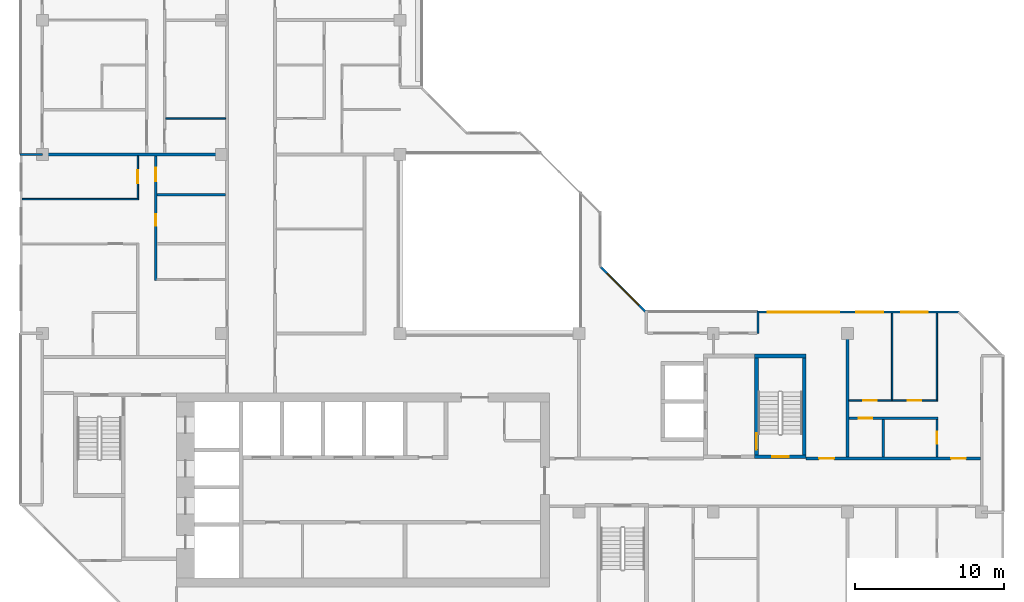
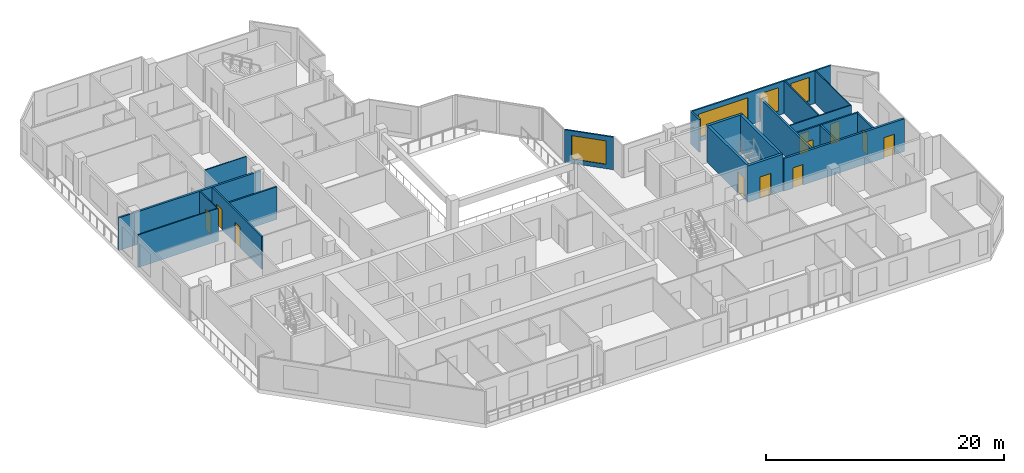
# One storey, part 8 of 13: 22 walls, 11 doors, 4 windows, 15 openings.
"""IFC4 building model written with IfcOpenShell, lengths in metres."""

from ifc_helpers import new_model, si_unit, direction, frame, frame_2d, origin, place, context, subcontext, project, spatial, rectangle, extrude, material, layer, layer_set, type_object, element, fill, save


model = new_model("IFC4")

# Units and contexts
model_context = context("Model", 3, precision=1e-05, world=origin(), true_north=direction((0.0, 1.0)))
body_context = subcontext(model_context, "Body", "Model", "MODEL_VIEW")
ifc_project = project(units=[si_unit("LENGTHUNIT", "METRE"), si_unit("AREAUNIT", "SQUARE_METRE"), si_unit("VOLUMEUNIT", "CUBIC_METRE"), si_unit("PLANEANGLEUNIT", "RADIAN"), si_unit("MASSUNIT", "GRAM", prefix="KILO")], contexts=[model_context])

# Site, building, storey
site_placement = place(None, origin())
site = spatial("IfcSite", under=ifc_project, at=site_placement, CompositionType="ELEMENT")
building_placement = place(site_placement, origin())
building = spatial("IfcBuilding", under=site, at=building_placement, Name="Chenar Terraces", CompositionType="ELEMENT")
storey_placement = place(building_placement, frame((0.0, 0.0, 314.64990234375)))
storey = spatial("IfcBuildingStorey", under=building, at=storey_placement, Name="L74", CompositionType="ELEMENT", Elevation=314.64990234375)

# Wall, opening, door
ifc_material_1 = material(Name="Concrete C50/60", Category="concrete")
ifc_layer_1 = layer(ifc_material_1, 0.25)
ifc_layer_set_1 = layer_set([ifc_layer_1], Name="Concrete C50/60")
wall_type_1 = type_object("IfcWallType", Name="Core wall 250 Concrete C50/60", PredefinedType="SHEAR", material=ifc_layer_set_1)
wall_1_placement = place(storey_placement, frame((47.77490234375, 15.72509765625, 0.0), z_axis=(0.0, 0.0, 1.0), x_axis=(1.0, 0.0, 0.0)))
wall_1 = element("IfcWall", 1, at=wall_1_placement, inside=storey, type_object=wall_type_1, Name="Core wall ST3_S L74", PredefinedType="SHEAR", context=body_context, shape_type="SweptSolid", body=[
    extrude(rectangle(XDim=3.4501953125, YDim=0.25, at=frame_2d((1.72509765625, 0.0))), origin(), (0.0, 0.0, 1.0), 3.75),
])
opening_1_placement = place(wall_1_placement, frame((1.175048828125, 0.0, 0.0)))
opening_1 = element("IfcOpeningElement", 2, at=opening_1_placement, cuts=wall_1, Name="Opening DL74-C8", PredefinedType="OPENING", context=body_context, shape_type="SweptSolid", body=[
    extrude(rectangle(XDim=1.10009765625, YDim=2.199951171875, at=frame_2d((0.550048828125, 1.10009765625))), frame((0.0, 0.135009765625, 0.0), z_axis=(0.0, -1.0, 0.0), x_axis=(1.0, 0.0, 0.0)), (0.0, 0.0, 1.0), 0.27001953125),
])
ifc_material_2 = material(Name="Steel-framed fire-resisting door leaf", Category="steel")
door_type_1 = type_object("IfcDoorType", Name="Stair fire door FD60 1100 x 2200", OperationType="SINGLE_SWING_LEFT", PredefinedType="DOOR", material=ifc_material_2)
door_1_placement = place(opening_1_placement, frame((1.10009765625, 0.0, 0.0), z_axis=(0.0, 0.0, 1.0), x_axis=(-1.0, 0.0, 0.0)))
door_1 = element("IfcDoor", 3, at=door_1_placement, inside=storey, type_object=door_type_1, Name="Stair door DL74-C8", OperationType="SINGLE_SWING_LEFT", OverallHeight=2.199951171875, OverallWidth=1.10009765625, PredefinedType="DOOR", context=body_context, shape_type="SweptSolid", body=[
    extrude(rectangle(XDim=1.10009765625, YDim=2.199951171875, at=frame_2d((0.550048828125, 1.10009765625))), frame((0.0, 0.02490234375, 0.0), z_axis=(0.0, -1.0, 0.0), x_axis=(1.0, 0.0, 0.0)), (0.0, 0.0, 1.0), 0.050048828125),
])
fill(opening_1, door_1)

# Wall
wall_2_placement = place(storey_placement, frame((47.77490234375, 22.47509765625, 0.0), z_axis=(0.0, 0.0, 1.0), x_axis=(1.0, 0.0, 0.0)))
element("IfcWall", 4, at=wall_2_placement, inside=storey, type_object=wall_type_1, Name="Core wall ST3_N L74", PredefinedType="SHEAR", context=body_context, shape_type="SweptSolid", body=[
    extrude(rectangle(XDim=3.4501953125, YDim=0.25, at=frame_2d((1.72509765625, 0.0))), origin(), (0.0, 0.0, 1.0), 3.75),
])

# Wall, opening, door
wall_3_placement = place(storey_placement, frame((47.89990234375, 15.85009765625, 0.0), z_axis=(0.0, 0.0, 1.0), x_axis=(0.0, 1.0, 0.0)))
wall_3 = element("IfcWall", 5, at=wall_3_placement, inside=storey, type_object=wall_type_1, Name="Core wall ST3_W L74", PredefinedType="SHEAR", context=body_context, shape_type="SweptSolid", body=[
    extrude(rectangle(XDim=6.5, YDim=0.25, at=frame_2d((3.25, 0.0))), origin(), (0.0, 0.0, 1.0), 3.75),
])
opening_2_placement = place(wall_3_placement, frame((0.35009765625, 0.0, 0.0)))
opening_2 = element("IfcOpeningElement", 6, at=opening_2_placement, cuts=wall_3, Name="Opening DL74-C11", PredefinedType="OPENING", context=body_context, shape_type="SweptSolid", body=[
    extrude(rectangle(XDim=1.10009765625, YDim=2.199951171875, at=frame_2d((0.550048828125, 1.10009765625))), frame((0.0, 0.135009765625, 0.0), z_axis=(0.0, -1.0, 0.0), x_axis=(1.0, 0.0, 0.0)), (0.0, 0.0, 1.0), 0.27001953125),
])
door_2_placement = place(opening_2_placement, frame((1.10009765625, 0.0, 0.0), z_axis=(0.0, 0.0, 1.0), x_axis=(-1.0, 0.0, 0.0)))
door_2 = element("IfcDoor", 7, at=door_2_placement, inside=storey, type_object=door_type_1, Name="Stair door DL74-C11", OperationType="SINGLE_SWING_RIGHT", OverallHeight=2.199951171875, OverallWidth=1.10009765625, PredefinedType="DOOR", context=body_context, shape_type="SweptSolid", body=[
    extrude(rectangle(XDim=1.10009765625, YDim=2.199951171875, at=frame_2d((0.550048828125, 1.10009765625))), frame((0.0, 0.02490234375, 0.0), z_axis=(0.0, -1.0, 0.0), x_axis=(1.0, 0.0, 0.0)), (0.0, 0.0, 1.0), 0.050048828125),
])
fill(opening_2, door_2)

# Wall
wall_4_placement = place(storey_placement, frame((51.10009765625, 15.85009765625, 0.0), z_axis=(0.0, 0.0, 1.0), x_axis=(0.0, 1.0, 0.0)))
element("IfcWall", 8, at=wall_4_placement, inside=storey, type_object=wall_type_1, Name="Core wall ST3_E L74", PredefinedType="SHEAR", context=body_context, shape_type="SweptSolid", body=[
    extrude(rectangle(XDim=6.5, YDim=0.25, at=frame_2d((3.25, 0.0))), origin(), (0.0, 0.0, 1.0), 3.75),
])

# Wall, openings, doors
ifc_material_3 = material(Name="Gypsum board on steel studs with fire boards", Category="steel")
ifc_layer_2 = layer(ifc_material_3, 0.199951171875)
ifc_layer_set_2 = layer_set([ifc_layer_2], Name="Gypsum board on steel studs with fire boards")
wall_type_2 = type_object("IfcWallType", Name="Corridor wall 200", PredefinedType="PARTITIONING", material=ifc_layer_set_2)
wall_5_placement = place(storey_placement, frame((51.22509765625, 15.60009765625, 0.0), z_axis=(0.0, 0.0, 1.0), x_axis=(1.0, 0.0, 0.0)))
wall_5 = element("IfcWall", 9, at=wall_5_placement, inside=storey, type_object=wall_type_2, Name="Partition L74-068", PredefinedType="PARTITIONING", context=body_context, shape_type="SweptSolid", body=[
    extrude(rectangle(XDim=11.700927734375, YDim=0.199951171875, at=frame_2d((5.8505859375, 0.0))), origin(), (0.0, 0.0, 1.0), 3.35009765625),
])
opening_3_placement = place(wall_5_placement, frame((9.72509765625, 0.0, 0.0)))
opening_3 = element("IfcOpeningElement", 10, at=opening_3_placement, cuts=wall_5, Name="Opening DL74-8", PredefinedType="OPENING", context=body_context, shape_type="SweptSolid", body=[
    extrude(rectangle(XDim=1.0, YDim=2.10009765625, at=frame_2d((0.5, 1.050048828125))), frame((0.0, 0.10986328125, 0.0), z_axis=(0.0, -1.0, 0.0), x_axis=(1.0, 0.0, 0.0)), (0.0, 0.0, 1.0), 0.219970703125),
])
opening_4_placement = place(wall_5_placement, frame((0.875, 0.0, 0.0)))
opening_4 = element("IfcOpeningElement", 11, at=opening_4_placement, cuts=wall_5, Name="Opening DL74-32", PredefinedType="OPENING", context=body_context, shape_type="SweptSolid", body=[
    extrude(rectangle(XDim=1.0, YDim=2.10009765625, at=frame_2d((0.5, 1.050048828125))), frame((0.0, 0.10986328125, 0.0), z_axis=(0.0, -1.0, 0.0), x_axis=(1.0, 0.0, 0.0)), (0.0, 0.0, 1.0), 0.219970703125),
])
ifc_material_4 = material(Name="Steel-framed fire-resisting door leaf", Category="steel")
door_type_2 = type_object("IfcDoorType", Name="Fire door FD30S 1000 x 2100", OperationType="SINGLE_SWING_LEFT", PredefinedType="DOOR", material=ifc_material_4)
door_3_placement = place(opening_3_placement, origin())
door_3 = element("IfcDoor", 12, at=door_3_placement, inside=storey, type_object=door_type_2, Name="Door DL74-8", OperationType="SINGLE_SWING_LEFT", OverallHeight=2.10009765625, OverallWidth=1.0, PredefinedType="DOOR", context=body_context, shape_type="SweptSolid", body=[
    extrude(rectangle(XDim=1.0, YDim=2.10009765625, at=frame_2d((0.5, 1.050048828125))), frame((0.0, 0.02490234375, 0.0), z_axis=(0.0, -1.0, 0.0), x_axis=(1.0, 0.0, 0.0)), (0.0, 0.0, 1.0), 0.050048828125),
])
fill(opening_3, door_3)
door_4_placement = place(opening_4_placement, origin())
door_4 = element("IfcDoor", 13, at=door_4_placement, inside=storey, type_object=door_type_2, Name="Door DL74-32", OperationType="SINGLE_SWING_RIGHT", OverallHeight=2.10009765625, OverallWidth=1.0, PredefinedType="DOOR", context=body_context, shape_type="SweptSolid", body=[
    extrude(rectangle(XDim=1.0, YDim=2.10009765625, at=frame_2d((0.5, 1.050048828125))), frame((0.0, 0.02490234375, 0.0), z_axis=(0.0, -1.0, 0.0), x_axis=(1.0, 0.0, 0.0)), (0.0, 0.0, 1.0), 0.050048828125),
])
fill(opening_4, door_4)

# Wall, openings, windows
ifc_material_5 = material(Name="Aluminium framed glazing", Category="aluminium")
ifc_layer_3 = layer(ifc_material_5, 0.14990234375)
ifc_layer_set_3 = layer_set([ifc_layer_3], Name="Aluminium framed glazing")
wall_type_3 = type_object("IfcWallType", Name="Glazed flush facade wall 150", PredefinedType="SOLIDWALL", material=ifc_layer_set_3)
wall_6_placement = place(storey_placement, frame((61.5, 25.425048828125, 0.0), z_axis=(0.0, 0.0, 1.0), x_axis=(-1.0, 0.0, 0.0)))
wall_6 = element("IfcWall", 14, at=wall_6_placement, inside=storey, type_object=wall_type_3, Name="Glazed flush facade wall", PredefinedType="SOLIDWALL", context=body_context, shape_type="SweptSolid", body=[
    extrude(rectangle(XDim=13.425048828125, YDim=0.14990234375, at=frame_2d((6.71240234375, 0.0))), origin(), (0.0, 0.0, 1.0), 3.35009765625),
])
opening_5_placement = place(wall_6_placement, frame((2.10009765625, 0.0, 0.449951171875)))
opening_5 = element("IfcOpeningElement", 15, at=opening_5_placement, cuts=wall_6, Name="Opening W180x240", PredefinedType="OPENING", context=body_context, shape_type="SweptSolid", body=[
    extrude(rectangle(XDim=1.800048828125, YDim=2.39990234375, at=frame_2d((0.89990234375, 1.199951171875))), frame((0.0, 0.0849609375, 0.0), z_axis=(0.0, -1.0, 0.0), x_axis=(1.0, 0.0, 0.0)), (0.0, 0.0, 1.0), 0.169921875),
])
opening_6_placement = place(wall_6_placement, frame((5.10009765625, 0.0, 0.449951171875)))
opening_6 = element("IfcOpeningElement", 16, at=opening_6_placement, cuts=wall_6, Name="Opening W180x240", PredefinedType="OPENING", context=body_context, shape_type="SweptSolid", body=[
    extrude(rectangle(XDim=1.800048828125, YDim=2.39990234375, at=frame_2d((0.89990234375, 1.199951171875))), frame((0.0, 0.0849609375, 0.0), z_axis=(0.0, -1.0, 0.0), x_axis=(1.0, 0.0, 0.0)), (0.0, 0.0, 1.0), 0.169921875),
])
opening_7_placement = place(wall_6_placement, frame((8.0625, 0.0, 0.449951171875)))
opening_7 = element("IfcOpeningElement", 17, at=opening_7_placement, cuts=wall_6, Name="Opening W480x240", PredefinedType="OPENING", context=body_context, shape_type="SweptSolid", body=[
    extrude(rectangle(XDim=4.800048828125, YDim=2.39990234375, at=frame_2d((2.39990234375, 1.199951171875))), frame((0.0, 0.0849609375, 0.0), z_axis=(0.0, -1.0, 0.0), x_axis=(1.0, 0.0, 0.0)), (0.0, 0.0, 1.0), 0.169921875),
])
ifc_material_6 = material(Name="Low emissivity double glazing, aluminium frame", Category="aluminium")
window_type_1 = type_object("IfcWindowType", Name="Fixed light 1800 x 2400", PartitioningType="SINGLE_PANEL", PredefinedType="WINDOW", material=ifc_material_6)
window_1_placement = place(opening_5_placement, origin())
window_1 = element("IfcWindow", 18, at=window_1_placement, inside=storey, type_object=window_type_1, Name="Window", OverallHeight=2.39990234375, OverallWidth=1.800048828125, PartitioningType="SINGLE_PANEL", PredefinedType="WINDOW", context=body_context, shape_type="SweptSolid", body=[
    extrude(rectangle(XDim=1.800048828125, YDim=2.39990234375, at=frame_2d((0.89990234375, 1.199951171875))), frame((0.0, 0.030029296875, 0.0), z_axis=(0.0, -1.0, 0.0), x_axis=(1.0, 0.0, 0.0)), (0.0, 0.0, 1.0), 0.06005859375),
])
fill(opening_5, window_1)
window_2_placement = place(opening_6_placement, origin())
window_2 = element("IfcWindow", 19, at=window_2_placement, inside=storey, type_object=window_type_1, Name="Window", OverallHeight=2.39990234375, OverallWidth=1.800048828125, PartitioningType="SINGLE_PANEL", PredefinedType="WINDOW", context=body_context, shape_type="SweptSolid", body=[
    extrude(rectangle(XDim=1.800048828125, YDim=2.39990234375, at=frame_2d((0.89990234375, 1.199951171875))), frame((0.0, 0.030029296875, 0.0), z_axis=(0.0, -1.0, 0.0), x_axis=(1.0, 0.0, 0.0)), (0.0, 0.0, 1.0), 0.06005859375),
])
fill(opening_6, window_2)
ifc_material_7 = material(Name="Low emissivity double glazing, aluminium frame", Category="aluminium")
window_type_2 = type_object("IfcWindowType", Name="Fixed light 4800 x 2400", PartitioningType="SINGLE_PANEL", PredefinedType="WINDOW", material=ifc_material_7)
window_3_placement = place(opening_7_placement, origin())
window_3 = element("IfcWindow", 20, at=window_3_placement, inside=storey, type_object=window_type_2, Name="Window", OverallHeight=2.39990234375, OverallWidth=4.800048828125, PartitioningType="SINGLE_PANEL", PredefinedType="WINDOW", context=body_context, shape_type="SweptSolid", body=[
    extrude(rectangle(XDim=4.800048828125, YDim=2.39990234375, at=frame_2d((2.39990234375, 1.199951171875))), frame((0.0, 0.030029296875, 0.0), z_axis=(0.0, -1.0, 0.0), x_axis=(1.0, 0.0, 0.0)), (0.0, 0.0, 1.0), 0.06005859375),
])
fill(opening_7, window_3)

# Wall
ifc_material_8 = material(Name="Gypsum board on steel studs", Category="steel")
ifc_layer_4 = layer(ifc_material_8, 0.10009765625)
ifc_layer_set_4 = layer_set([ifc_layer_4], Name="Gypsum board on steel studs")
wall_type_4 = type_object("IfcWallType", Name="Gypsum partition 100", PredefinedType="PARTITIONING", material=ifc_layer_set_4)
wall_7_placement = place(storey_placement, frame((-1.35009765625, 33.0, 0.0), z_axis=(0.0, 0.0, 1.0), x_axis=(1.0, 0.0, 0.0)))
element("IfcWall", 21, at=wall_7_placement, inside=storey, type_object=wall_type_4, Name="Partition L74-003", PredefinedType="PARTITIONING", context=body_context, shape_type="SweptSolid", body=[
    extrude(rectangle(XDim=7.800048828125, YDim=0.10009765625, at=frame_2d((3.89990234375, 0.0))), origin(), (0.0, 0.0, 1.0), 3.35009765625),
])

# Wall, opening, door
wall_8_placement = place(storey_placement, frame((6.39990234375, 33.050048828125, 0.0), z_axis=(0.0, 0.0, 1.0), x_axis=(0.0, 1.0, 0.0)))
wall_8 = element("IfcWall", 22, at=wall_8_placement, inside=storey, type_object=wall_type_4, Name="Partition L74-018", PredefinedType="PARTITIONING", context=body_context, shape_type="SweptSolid", body=[
    extrude(rectangle(XDim=2.849853515625, YDim=0.10009765625, at=frame_2d((1.4248046875, 0.0))), origin(), (0.0, 0.0, 1.0), 3.35009765625),
])
opening_8_placement = place(wall_8_placement, frame((1.0, 0.0, 0.0)))
opening_8 = element("IfcOpeningElement", 23, at=opening_8_placement, cuts=wall_8, Name="Opening DL74-51", PredefinedType="OPENING", context=body_context, shape_type="SweptSolid", body=[
    extrude(rectangle(XDim=0.89990234375, YDim=2.10009765625, at=frame_2d((0.449951171875, 1.050048828125))), frame((0.0, 0.06005859375, 0.0), z_axis=(0.0, -1.0, 0.0), x_axis=(1.0, 0.0, 0.0)), (0.0, 0.0, 1.0), 0.1201171875),
])
ifc_material_9 = material(Name="Veneered timber door leaf", Category="wood")
door_type_3 = type_object("IfcDoorType", Name="Door 900 x 2100", OperationType="SINGLE_SWING_LEFT", PredefinedType="DOOR", material=ifc_material_9)
door_5_placement = place(opening_8_placement, origin())
door_5 = element("IfcDoor", 24, at=door_5_placement, inside=storey, type_object=door_type_3, Name="Door DL74-51", OperationType="SINGLE_SWING_RIGHT", OverallHeight=2.10009765625, OverallWidth=0.89990234375, PredefinedType="DOOR", context=body_context, shape_type="SweptSolid", body=[
    extrude(rectangle(XDim=0.89990234375, YDim=2.10009765625, at=frame_2d((0.449951171875, 1.050048828125))), frame((0.0, 0.02490234375, 0.0), z_axis=(0.0, -1.0, 0.0), x_axis=(1.0, 0.0, 0.0)), (0.0, 0.0, 1.0), 0.050048828125),
])
fill(opening_8, door_5)

# Wall
wall_9_placement = place(storey_placement, frame((8.27490234375, 38.39990234375, 0.0), z_axis=(0.0, 0.0, 1.0), x_axis=(1.0, 0.0, 0.0)))
element("IfcWall", 25, at=wall_9_placement, inside=storey, type_object=wall_type_4, Name="Partition L74-026", PredefinedType="PARTITIONING", context=body_context, shape_type="SweptSolid", body=[
    extrude(rectangle(XDim=4.025146484375, YDim=0.10009765625, at=frame_2d((2.0126953125, 0.0))), origin(), (0.0, 0.0, 1.0), 3.35009765625),
])

# Wall, openings, doors
wall_10_placement = place(storey_placement, frame((54.10009765625, 19.5, 0.0), z_axis=(0.0, 0.0, 1.0), x_axis=(1.0, 0.0, 0.0)))
wall_10 = element("IfcWall", 26, at=wall_10_placement, inside=storey, type_object=wall_type_4, Name="Partition L74-073", PredefinedType="PARTITIONING", context=body_context, shape_type="SweptSolid", body=[
    extrude(rectangle(XDim=5.949951171875, YDim=0.10009765625, at=frame_2d((2.97509765625, 0.0))), origin(), (0.0, 0.0, 1.0), 3.35009765625),
])
opening_9_placement = place(wall_10_placement, frame((0.949951171875, 0.0, 0.0)))
opening_9 = element("IfcOpeningElement", 27, at=opening_9_placement, cuts=wall_10, Name="Opening DL74-5", PredefinedType="OPENING", context=body_context, shape_type="SweptSolid", body=[
    extrude(rectangle(XDim=0.89990234375, YDim=2.10009765625, at=frame_2d((0.449951171875, 1.050048828125))), frame((0.0, 0.06005859375, 0.0), z_axis=(0.0, -1.0, 0.0), x_axis=(1.0, 0.0, 0.0)), (0.0, 0.0, 1.0), 0.1201171875),
])
opening_10_placement = place(wall_10_placement, frame((3.949951171875, 0.0, 0.0)))
opening_10 = element("IfcOpeningElement", 28, at=opening_10_placement, cuts=wall_10, Name="Opening DL74-6", PredefinedType="OPENING", context=body_context, shape_type="SweptSolid", body=[
    extrude(rectangle(XDim=0.89990234375, YDim=2.10009765625, at=frame_2d((0.449951171875, 1.050048828125))), frame((0.0, 0.06005859375, 0.0), z_axis=(0.0, -1.0, 0.0), x_axis=(1.0, 0.0, 0.0)), (0.0, 0.0, 1.0), 0.1201171875),
])
door_6_placement = place(opening_9_placement, origin())
door_6 = element("IfcDoor", 29, at=door_6_placement, inside=storey, type_object=door_type_3, Name="Door DL74-5", OperationType="SINGLE_SWING_RIGHT", OverallHeight=2.10009765625, OverallWidth=0.89990234375, PredefinedType="DOOR", context=body_context, shape_type="SweptSolid", body=[
    extrude(rectangle(XDim=0.89990234375, YDim=2.10009765625, at=frame_2d((0.449951171875, 1.050048828125))), frame((0.0, 0.02490234375, 0.0), z_axis=(0.0, -1.0, 0.0), x_axis=(1.0, 0.0, 0.0)), (0.0, 0.0, 1.0), 0.050048828125),
])
fill(opening_9, door_6)
door_7_placement = place(opening_10_placement, origin())
door_7 = element("IfcDoor", 30, at=door_7_placement, inside=storey, type_object=door_type_3, Name="Door DL74-6", OperationType="SINGLE_SWING_RIGHT", OverallHeight=2.10009765625, OverallWidth=0.89990234375, PredefinedType="DOOR", context=body_context, shape_type="SweptSolid", body=[
    extrude(rectangle(XDim=0.89990234375, YDim=2.10009765625, at=frame_2d((0.449951171875, 1.050048828125))), frame((0.0, 0.02490234375, 0.0), z_axis=(0.0, -1.0, 0.0), x_axis=(1.0, 0.0, 0.0)), (0.0, 0.0, 1.0), 0.050048828125),
])
fill(opening_10, door_7)

# Walls
wall_11_placement = place(storey_placement, frame((57.0, 19.550048828125, 0.0), z_axis=(0.0, 0.0, 1.0), x_axis=(0.0, 1.0, 0.0)))
element("IfcWall", 31, at=wall_11_placement, inside=storey, type_object=wall_type_4, Name="Partition L74-075", PredefinedType="PARTITIONING", context=body_context, shape_type="SweptSolid", body=[
    extrude(rectangle(XDim=5.801025390625, YDim=0.10009765625, at=frame_2d((2.900390625, 0.0))), origin(), (0.0, 0.0, 1.0), 3.35009765625),
])
wall_12_placement = place(storey_placement, frame((60.0, 19.550048828125, 0.0), z_axis=(0.0, 0.0, 1.0), x_axis=(0.0, 1.0, 0.0)))
element("IfcWall", 32, at=wall_12_placement, inside=storey, type_object=wall_type_4, Name="Partition L74-080", PredefinedType="PARTITIONING", context=body_context, shape_type="SweptSolid", body=[
    extrude(rectangle(XDim=5.800048828125, YDim=0.10009765625, at=frame_2d((2.89990234375, 0.0))), origin(), (0.0, 0.0, 1.0), 3.35009765625),
])
ifc_material_10 = material(Name="Terracotta cladding on insulated backing", Category="masonry")
ifc_layer_5 = layer(ifc_material_10, 0.14990234375)
ifc_layer_set_5 = layer_set([ifc_layer_5], Name="Terracotta cladding on insulated backing")
wall_type_5 = type_object("IfcWallType", Name="Loggia return wall 150", PredefinedType="SOLIDWALL", material=ifc_layer_set_5)
for number, where, z_axis, x_axis, name in (
    (33, (48.0, 25.5, 0.0), (0.0, 0.0, 1.0), (0.0, -1.0, 0.0), "Loggia return wall"),
    (34, (-1.5, 36.0, 0.0), (0.0, 0.0, 1.0), (1.0, 0.0, 0.0), "Loggia return wall"),
):
    element("IfcWall", number, at=place(storey_placement, frame(where, z_axis=z_axis, x_axis=x_axis)), inside=storey, type_object=wall_type_5, Name=name, PredefinedType="SOLIDWALL", context=body_context, shape_type="SweptSolid", body=[
        extrude(rectangle(XDim=1.5, YDim=0.14990234375, at=frame_2d((0.75, 0.0))), origin(), (0.0, 0.0, 1.0), 3.35009765625),
    ])

# Wall, opening, window
ifc_material_11 = material(Name="Terracotta cladding on insulated backing", Category="masonry")
ifc_layer_6 = layer(ifc_material_11, 0.14990234375)
ifc_layer_set_6 = layer_set([ifc_layer_6], Name="Terracotta cladding on insulated backing")
wall_type_6 = type_object("IfcWallType", Name="Terracotta rainscreen wall 150", PredefinedType="SOLIDWALL", material=ifc_layer_set_6)
wall_13_placement = place(storey_placement, frame((40.447021484375, 25.447021484375, 0.0), z_axis=(0.0, 0.0, 1.0), x_axis=(-0.707106781187, 0.707106781187, 0.0)))
wall_13 = element("IfcWall", 35, at=wall_13_placement, inside=storey, type_object=wall_type_6, Name="Terracotta rainscreen wall", PredefinedType="SOLIDWALL", context=body_context, shape_type="SweptSolid", body=[
    extrude(rectangle(XDim=4.24267578125, YDim=0.14990234375, at=frame_2d((2.121337890625, 0.0))), origin(), (0.0, 0.0, 1.0), 3.35009765625),
])
opening_11_placement = place(wall_13_placement, frame((0.621337890625, 0.0, 0.449951171875)))
opening_11 = element("IfcOpeningElement", 36, at=opening_11_placement, cuts=wall_13, Name="Opening W300x240", PredefinedType="OPENING", context=body_context, shape_type="SweptSolid", body=[
    extrude(rectangle(XDim=3.0, YDim=2.39990234375, at=frame_2d((1.5, 1.199951171875))), frame((0.0, 0.0849609375, 0.0), z_axis=(0.0, -1.0, 0.0), x_axis=(1.0, 0.0, 0.0)), (0.0, 0.0, 1.0), 0.169921875),
])
ifc_material_12 = material(Name="Low emissivity double glazing, aluminium frame", Category="aluminium")
window_type_3 = type_object("IfcWindowType", Name="Fixed light 3000 x 2400", PartitioningType="SINGLE_PANEL", PredefinedType="WINDOW", material=ifc_material_12)
window_4_placement = place(opening_11_placement, origin())
window_4 = element("IfcWindow", 37, at=window_4_placement, inside=storey, type_object=window_type_3, Name="Window", OverallHeight=2.39990234375, OverallWidth=3.0, PartitioningType="SINGLE_PANEL", PredefinedType="WINDOW", context=body_context, shape_type="SweptSolid", body=[
    extrude(rectangle(XDim=3.0, YDim=2.39990234375, at=frame_2d((1.5, 1.199951171875))), frame((0.0, 0.030029296875, 0.0), z_axis=(0.0, -1.0, 0.0), x_axis=(1.0, 0.0, 0.0)), (0.0, 0.0, 1.0), 0.06005859375),
])
fill(opening_11, window_4)

# Walls
ifc_material_13 = material(Name="Twin gypsum board on steel studs with mineral wool", Category="steel")
ifc_layer_7 = layer(ifc_material_13, 0.199951171875)
ifc_layer_set_7 = layer_set([ifc_layer_7], Name="Twin gypsum board on steel studs with mineral wool")
wall_type_7 = type_object("IfcWallType", Name="Unit demising wall 200", PredefinedType="PARTITIONING", material=ifc_layer_set_7)
wall_14_placement = place(storey_placement, frame((0.0, 36.0, 0.0), z_axis=(0.0, 0.0, 1.0), x_axis=(1.0, 0.0, 0.0)))
element("IfcWall", 38, at=wall_14_placement, inside=storey, type_object=wall_type_7, Name="Partition L74-004", PredefinedType="PARTITIONING", context=body_context, shape_type="SweptSolid", body=[
    extrude(rectangle(XDim=12.300048828125, YDim=0.199951171875, at=frame_2d((6.14990234375, 0.0))), origin(), (0.0, 0.0, 1.0), 3.35009765625),
])
wall_15_placement = place(storey_placement, frame((54.0, 15.699951171875, 0.0), z_axis=(0.0, 0.0, 1.0), x_axis=(0.0, 1.0, 0.0)))
element("IfcWall", 39, at=wall_15_placement, inside=storey, type_object=wall_type_7, Name="Partition L74-070", PredefinedType="PARTITIONING", context=body_context, shape_type="SweptSolid", body=[
    extrude(rectangle(XDim=8.300048828125, YDim=0.199951171875, at=frame_2d((4.14990234375, 0.0))), origin(), (0.0, 0.0, 1.0), 3.35009765625),
])

# Wall, openings, doors
ifc_material_14 = material(Name="Moisture-resistant gypsum board on steel studs", Category="steel")
ifc_layer_8 = layer(ifc_material_14, 0.14990234375)
ifc_layer_set_8 = layer_set([ifc_layer_8], Name="Moisture-resistant gypsum board on steel studs")
wall_type_8 = type_object("IfcWallType", Name="Wet-room partition 150", PredefinedType="PARTITIONING", material=ifc_layer_set_8)
wall_16_placement = place(storey_placement, frame((7.60009765625, 27.550048828125, 0.0), z_axis=(0.0, 0.0, 1.0), x_axis=(0.0, 1.0, 0.0)))
wall_16 = element("IfcWall", 40, at=wall_16_placement, inside=storey, type_object=wall_type_8, Name="Partition L74-021", PredefinedType="PARTITIONING", context=body_context, shape_type="SweptSolid", body=[
    extrude(rectangle(XDim=8.349853515625, YDim=0.14990234375, at=frame_2d((4.1748046875, 0.0))), origin(), (0.0, 0.0, 1.0), 3.35009765625),
])
opening_12_placement = place(wall_16_placement, frame((3.64990234375, 0.0, 0.0)))
opening_12 = element("IfcOpeningElement", 41, at=opening_12_placement, cuts=wall_16, Name="Opening DL74-50", PredefinedType="OPENING", context=body_context, shape_type="SweptSolid", body=[
    extrude(rectangle(XDim=0.800048828125, YDim=2.10009765625, at=frame_2d((0.39990234375, 1.050048828125))), frame((0.0, 0.0849609375, 0.0), z_axis=(0.0, -1.0, 0.0), x_axis=(1.0, 0.0, 0.0)), (0.0, 0.0, 1.0), 0.169921875),
])
opening_13_placement = place(wall_16_placement, frame((6.64990234375, 0.0, 0.0)))
opening_13 = element("IfcOpeningElement", 42, at=opening_13_placement, cuts=wall_16, Name="Opening DL74-56", PredefinedType="OPENING", context=body_context, shape_type="SweptSolid", body=[
    extrude(rectangle(XDim=0.89990234375, YDim=2.10009765625, at=frame_2d((0.449951171875, 1.050048828125))), frame((0.0, 0.0849609375, 0.0), z_axis=(0.0, -1.0, 0.0), x_axis=(1.0, 0.0, 0.0)), (0.0, 0.0, 1.0), 0.169921875),
])
ifc_material_15 = material(Name="Veneered timber door leaf", Category="wood")
door_type_4 = type_object("IfcDoorType", Name="Door 800 x 2100", OperationType="SINGLE_SWING_LEFT", PredefinedType="DOOR", material=ifc_material_15)
door_8_placement = place(opening_12_placement, frame((0.800048828125, 0.0, 0.0), z_axis=(0.0, 0.0, 1.0), x_axis=(-1.0, 0.0, 0.0)))
door_8 = element("IfcDoor", 43, at=door_8_placement, inside=storey, type_object=door_type_4, Name="Door DL74-50", OperationType="SINGLE_SWING_RIGHT", OverallHeight=2.10009765625, OverallWidth=0.800048828125, PredefinedType="DOOR", context=body_context, shape_type="SweptSolid", body=[
    extrude(rectangle(XDim=0.800048828125, YDim=2.10009765625, at=frame_2d((0.39990234375, 1.050048828125))), frame((0.0, 0.02490234375, 0.0), z_axis=(0.0, -1.0, 0.0), x_axis=(1.0, 0.0, 0.0)), (0.0, 0.0, 1.0), 0.050048828125),
])
fill(opening_12, door_8)
door_9_placement = place(opening_13_placement, frame((0.89990234375, 0.0, 0.0), z_axis=(0.0, 0.0, 1.0), x_axis=(-1.0, 0.0, 0.0)))
door_9 = element("IfcDoor", 44, at=door_9_placement, inside=storey, type_object=door_type_3, Name="Door DL74-56", OperationType="SINGLE_SWING_LEFT", OverallHeight=2.10009765625, OverallWidth=0.89990234375, PredefinedType="DOOR", context=body_context, shape_type="SweptSolid", body=[
    extrude(rectangle(XDim=0.89990234375, YDim=2.10009765625, at=frame_2d((0.449951171875, 1.050048828125))), frame((0.0, 0.02490234375, 0.0), z_axis=(0.0, -1.0, 0.0), x_axis=(1.0, 0.0, 0.0)), (0.0, 0.0, 1.0), 0.050048828125),
])
fill(opening_13, door_9)

# Wall
wall_17_placement = place(storey_placement, frame((7.675048828125, 33.300048828125, 0.0), z_axis=(0.0, 0.0, 1.0), x_axis=(1.0, 0.0, 0.0)))
element("IfcWall", 45, at=wall_17_placement, inside=storey, type_object=wall_type_8, Name="Partition L74-024", PredefinedType="PARTITIONING", context=body_context, shape_type="SweptSolid", body=[
    extrude(rectangle(XDim=4.625, YDim=0.14990234375, at=frame_2d((2.3125, 0.0))), origin(), (0.0, 0.0, 1.0), 3.35009765625),
])

# Wall, opening, door
wall_18_placement = place(storey_placement, frame((54.10009765625, 18.300048828125, 0.0), z_axis=(0.0, 0.0, 1.0), x_axis=(1.0, 0.0, 0.0)))
wall_18 = element("IfcWall", 46, at=wall_18_placement, inside=storey, type_object=wall_type_8, Name="Partition L74-072", PredefinedType="PARTITIONING", context=body_context, shape_type="SweptSolid", body=[
    extrude(rectangle(XDim=5.974853515625, YDim=0.14990234375, at=frame_2d((2.9873046875, 0.0))), origin(), (0.0, 0.0, 1.0), 3.35009765625),
])
opening_14_placement = place(wall_18_placement, frame((0.64990234375, 0.0, 0.0)))
opening_14 = element("IfcOpeningElement", 47, at=opening_14_placement, cuts=wall_18, Name="Opening DL74-7", PredefinedType="OPENING", context=body_context, shape_type="SweptSolid", body=[
    extrude(rectangle(XDim=0.89990234375, YDim=2.10009765625, at=frame_2d((0.449951171875, 1.050048828125))), frame((0.0, 0.0849609375, 0.0), z_axis=(0.0, -1.0, 0.0), x_axis=(1.0, 0.0, 0.0)), (0.0, 0.0, 1.0), 0.169921875),
])
door_10_placement = place(opening_14_placement, frame((0.89990234375, 0.0, 0.0), z_axis=(0.0, 0.0, 1.0), x_axis=(-1.0, 0.0, 0.0)))
door_10 = element("IfcDoor", 48, at=door_10_placement, inside=storey, type_object=door_type_3, Name="Door DL74-7", OperationType="SINGLE_SWING_LEFT", OverallHeight=2.10009765625, OverallWidth=0.89990234375, PredefinedType="DOOR", context=body_context, shape_type="SweptSolid", body=[
    extrude(rectangle(XDim=0.89990234375, YDim=2.10009765625, at=frame_2d((0.449951171875, 1.050048828125))), frame((0.0, 0.02490234375, 0.0), z_axis=(0.0, -1.0, 0.0), x_axis=(1.0, 0.0, 0.0)), (0.0, 0.0, 1.0), 0.050048828125),
])
fill(opening_14, door_10)

# Wall
wall_19_placement = place(storey_placement, frame((56.39990234375, 15.699951171875, 0.0), z_axis=(0.0, 0.0, 1.0), x_axis=(0.0, 1.0, 0.0)))
element("IfcWall", 49, at=wall_19_placement, inside=storey, type_object=wall_type_8, Name="Partition L74-074", PredefinedType="PARTITIONING", context=body_context, shape_type="SweptSolid", body=[
    extrude(rectangle(XDim=2.525146484375, YDim=0.14990234375, at=frame_2d((1.2626953125, 0.0))), origin(), (0.0, 0.0, 1.0), 3.35009765625),
])

# Wall, opening, door
wall_20_placement = place(storey_placement, frame((60.0, 15.699951171875, 0.0), z_axis=(0.0, 0.0, 1.0), x_axis=(0.0, 1.0, 0.0)))
wall_20 = element("IfcWall", 50, at=wall_20_placement, inside=storey, type_object=wall_type_8, Name="Partition L74-079", PredefinedType="PARTITIONING", context=body_context, shape_type="SweptSolid", body=[
    extrude(rectangle(XDim=2.525146484375, YDim=0.14990234375, at=frame_2d((1.2626953125, 0.0))), origin(), (0.0, 0.0, 1.0), 3.35009765625),
])
opening_15_placement = place(wall_20_placement, frame((0.89990234375, 0.0, 0.0)))
opening_15 = element("IfcOpeningElement", 51, at=opening_15_placement, cuts=wall_20, Name="Opening DL74-4", PredefinedType="OPENING", context=body_context, shape_type="SweptSolid", body=[
    extrude(rectangle(XDim=0.800048828125, YDim=2.10009765625, at=frame_2d((0.39990234375, 1.050048828125))), frame((0.0, 0.0849609375, 0.0), z_axis=(0.0, -1.0, 0.0), x_axis=(1.0, 0.0, 0.0)), (0.0, 0.0, 1.0), 0.169921875),
])
door_11_placement = place(opening_15_placement, origin())
door_11 = element("IfcDoor", 52, at=door_11_placement, inside=storey, type_object=door_type_4, Name="Door DL74-4", OperationType="SINGLE_SWING_RIGHT", OverallHeight=2.10009765625, OverallWidth=0.800048828125, PredefinedType="DOOR", context=body_context, shape_type="SweptSolid", body=[
    extrude(rectangle(XDim=0.800048828125, YDim=2.10009765625, at=frame_2d((0.39990234375, 1.050048828125))), frame((0.0, 0.02490234375, 0.0), z_axis=(0.0, -1.0, 0.0), x_axis=(1.0, 0.0, 0.0)), (0.0, 0.0, 1.0), 0.050048828125),
])
fill(opening_15, door_11)

save(model, "model.ifc")
